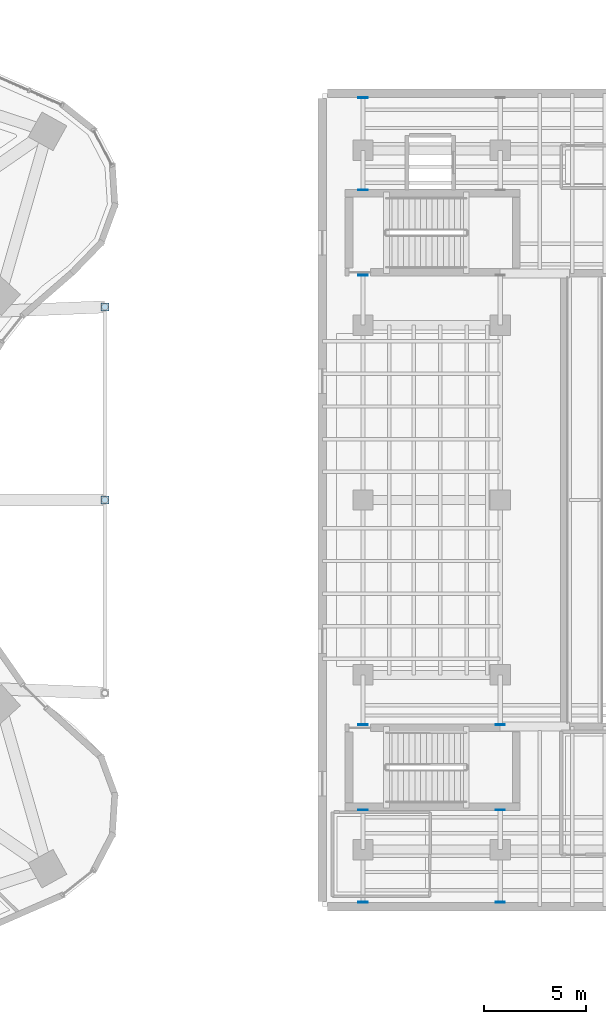
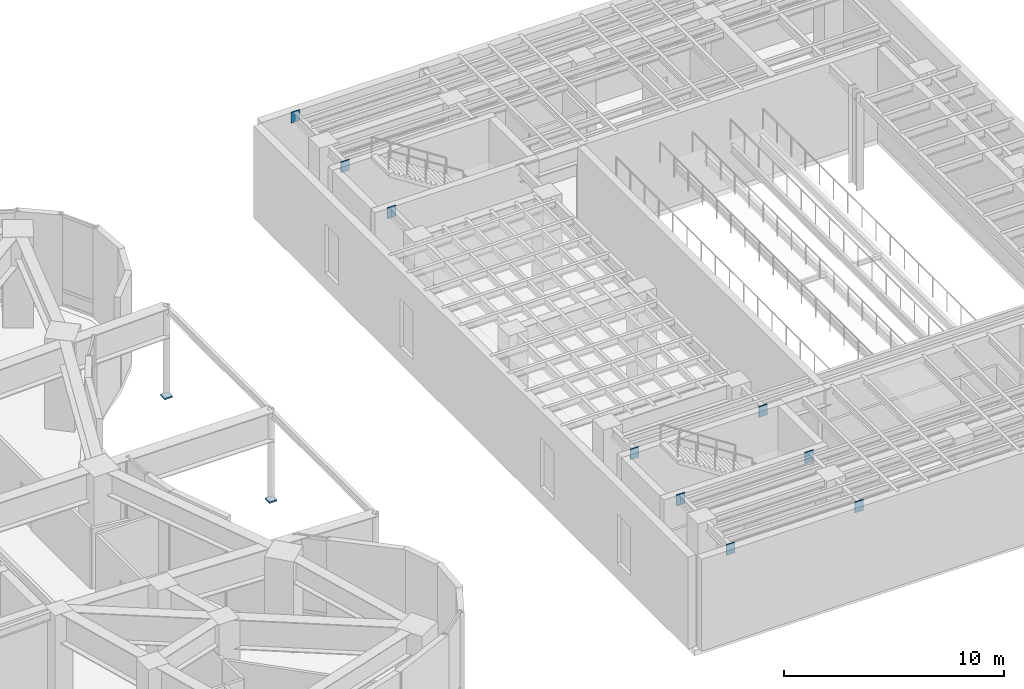
# One storey, part 13 of 23: 11 plates.
"""IFC4 building model written with IfcOpenShell, lengths in metres."""

from ifc_helpers import new_model, si_unit, direction, frame, origin, origin_2d, place, context, subcontext, project, spatial, rectangle, extrude, material, layer, layer_set, type_object, element, save


model = new_model("IFC4")

# Units and contexts
model_context = context("Model", 3, precision=1e-05, world=origin(), true_north=direction((0.0, 1.0)))
body_context = subcontext(model_context, "Body", "Model", "MODEL_VIEW")
ifc_project = project(units=[si_unit("LENGTHUNIT", "METRE"), si_unit("AREAUNIT", "SQUARE_METRE"), si_unit("VOLUMEUNIT", "CUBIC_METRE"), si_unit("PLANEANGLEUNIT", "RADIAN"), si_unit("MASSUNIT", "GRAM", prefix="KILO")], contexts=[model_context])

# Site, building, storey
site_placement = place(None, origin())
site = spatial("IfcSite", under=ifc_project, at=site_placement, CompositionType="ELEMENT")
building_placement = place(site_placement, origin())
building = spatial("IfcBuilding", under=site, at=building_placement, Name="Korentha Bioscience Tower", CompositionType="ELEMENT")
storey_placement = place(building_placement, frame((0.0, 0.0, 15.0)))
storey = spatial("IfcBuildingStorey", under=building, at=storey_placement, Name="L03", CompositionType="ELEMENT", Elevation=15.0)

# Plates
ifc_material = material(Name="Steel S355", Category="steel")
ifc_layer_1 = layer(ifc_material, 0.0400390625, Name="Steel S355")
ifc_layer_set_1 = layer_set([ifc_layer_1], Name="Steel S355 (EP-01)")
plate_type_1 = type_object("IfcPlateType", Name="Cast-In Shear Wall Embed Plate 450x600x40", PredefinedType="USERDEFINED", material=ifc_layer_set_1)
for number, where, z_axis, x_axis, name in (
    (1, (66.5, 7.2099609375, 4.533447265625), (0.0, 0.0, 1.0), (1.0, 0.0, 0.0), "L03 Collector Shear-Wall Embed Plate A-1-1"),
    (2, (66.5, 11.75, 4.533447265625), (0.0, 0.0, 1.0), (1.0, 0.0, 0.0), "L03 Collector Shear-Wall Embed Plate B-1-2"),
    (3, (66.5, 15.949951171875, 4.533447265625), (0.0, 0.0, 1.0), (1.0, 0.0, 0.0), "L03 Collector Shear-Wall Embed Plate A-1-3"),
    (4, (66.5, 38.050048828125, 4.533447265625), (0.0, 0.0, 1.0), (1.0, 0.0, 0.0), "L03 Collector Shear-Wall Embed Plate B-1-6"),
    (5, (66.5, 42.25, 4.533447265625), (0.0, 0.0, 1.0), (1.0, 0.0, 0.0), "L03 Collector Shear-Wall Embed Plate A-1-7"),
    (6, (66.5, 46.7900390625, 4.533447265625), (0.0, 0.0, 1.0), (1.0, 0.0, 0.0), "L03 Collector Shear-Wall Embed Plate B-1-8"),
    (7, (73.25, 7.2099609375, 4.533447265625), (0.0, 0.0, 1.0), (1.0, 0.0, 0.0), "L03 Collector Shear-Wall Embed Plate A-2-1"),
    (8, (73.25, 11.75, 4.533447265625), (0.0, 0.0, 1.0), (1.0, 0.0, 0.0), "L03 Collector Shear-Wall Embed Plate B-2-2"),
    (9, (73.25, 15.949951171875, 4.533447265625), (0.0, 0.0, 1.0), (1.0, 0.0, 0.0), "L03 Collector Shear-Wall Embed Plate A-2-3"),
):
    element("IfcPlate", number, at=place(storey_placement, frame(where, z_axis=z_axis, x_axis=x_axis)), inside=storey, type_object=plate_type_1, Name=name, ObjectType="BASE_PLATE", PredefinedType="USERDEFINED", context=body_context, shape_type="SweptSolid", body=[
        extrude(rectangle(XDim=0.449951171875, YDim=0.0400390625, at=origin_2d()), origin(), (0.0, 0.0, 1.0), 0.60009765625),
    ])
ifc_layer_2 = layer(ifc_material, 0.080078125, Name="Steel S355")
ifc_layer_set_2 = layer_set([ifc_layer_2], Name="Steel S355 (CP-02)")
plate_type_2 = type_object("IfcPlateType", Name="Hollow Section End Cap Plate 400x400x80", PredefinedType="USERDEFINED", material=ifc_layer_set_2)
for number, where, z_axis, x_axis, name in (
    (10, (53.800048828125, 27.0, -0.0400390625), (0.0, 0.0, 1.0), (1.0, 0.0, 0.0), "Terrace Column Splice Cap 2"),
    (11, (53.800048828125, 36.5, -0.0400390625), (0.0, 0.0, 1.0), (1.0, 0.0, 0.0), "Terrace Column Splice Cap 3"),
):
    element("IfcPlate", number, at=place(storey_placement, frame(where, z_axis=z_axis, x_axis=x_axis)), inside=storey, type_object=plate_type_2, Name=name, ObjectType="CAP_PLATE", PredefinedType="USERDEFINED", context=body_context, shape_type="SweptSolid", body=[
        extrude(rectangle(XDim=0.39990234375, YDim=0.39990234375, at=origin_2d()), origin(), (0.0, 0.0, 1.0), 0.080078125),
    ])

save(model, "model.ifc")
